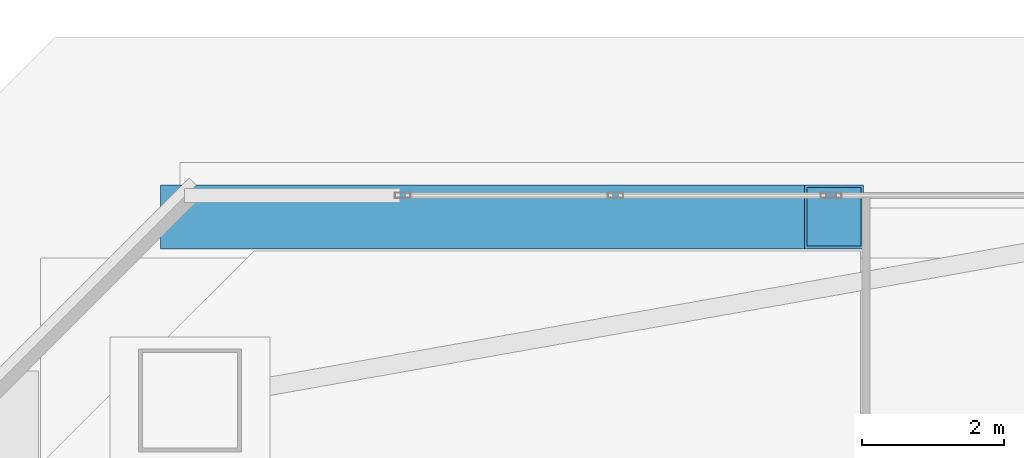
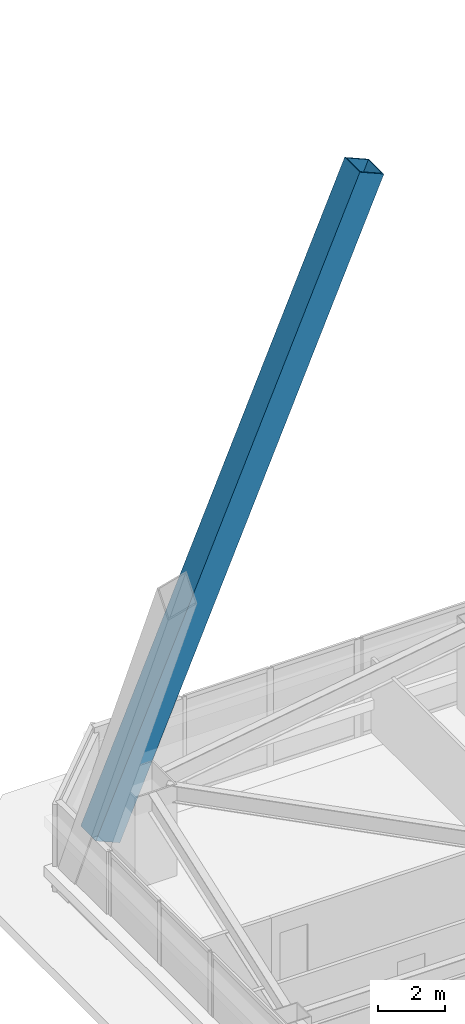
# One storey, part 22 of 67: 1 member.
"""IFC4 building model written with IfcOpenShell, lengths in metres."""

from ifc_helpers import new_model, si_unit, direction, frame, origin, origin_2d, place, context, subcontext, project, spatial, hollow_rectangle, extrude, material, material_profile, profile_set, type_object, element, save


model = new_model("IFC4")

# Units and contexts
model_context = context("Model", 3, precision=1e-05, world=origin(), true_north=direction((0.0, 1.0)))
body_context = subcontext(model_context, "Body", "Model", "MODEL_VIEW")
ifc_project = project(units=[si_unit("LENGTHUNIT", "METRE"), si_unit("AREAUNIT", "SQUARE_METRE"), si_unit("VOLUMEUNIT", "CUBIC_METRE"), si_unit("PLANEANGLEUNIT", "RADIAN"), si_unit("MASSUNIT", "GRAM", prefix="KILO")], contexts=[model_context])

# Site, building, storey
site_placement = place(None, origin())
site = spatial("IfcSite", under=ifc_project, at=site_placement, CompositionType="ELEMENT")
building_placement = place(site_placement, origin())
building = spatial("IfcBuilding", under=site, at=building_placement, Name="Tashvorn Skyway Center", CompositionType="ELEMENT")
storey_placement = place(building_placement, frame((0.0, 0.0, 67.199951171875)))
storey = spatial("IfcBuildingStorey", under=building, at=storey_placement, Name="L17", CompositionType="ELEMENT", Elevation=67.199951171875)

# Member
ifc_material = material(Name="Steel ASTM A572 Grade 50", Category="steel")
ifc_material_profile = material_profile(ifc_material, hollow_rectangle(XDim=0.89990234375, YDim=0.89990234375, WallThickness=0.0400390625, at=origin_2d()), Name="BOX900x900x40")
ifc_profile_set = profile_set([ifc_material_profile], Name="Steel ASTM A572 Grade 50")
member_type = type_object("IfcMemberType", Name="MEM-MB-900", PredefinedType="BRACE", material=ifc_profile_set)
member_placement = place(storey_placement, frame((23.89990234375, 52.679931640625, -0.219970703125), z_axis=(0.394656720236, 0.0, 0.918828641898), x_axis=(0.0, 1.0, 0.0)))
element("IfcMember", 1, at=member_placement, inside=storey, type_object=member_type, Name="Tower 1 Zone 2 N Chevron Mega-Brace R1", PredefinedType="BRACE", context=body_context, shape_type="SweptSolid", body=[
    extrude(hollow_rectangle(XDim=0.89990234375, YDim=0.89990234375, WallThickness=0.0400390625, at=origin_2d()), origin(), (0.0, 0.0, 1.0), 22.931396484375),
])

save(model, "model.ifc")
